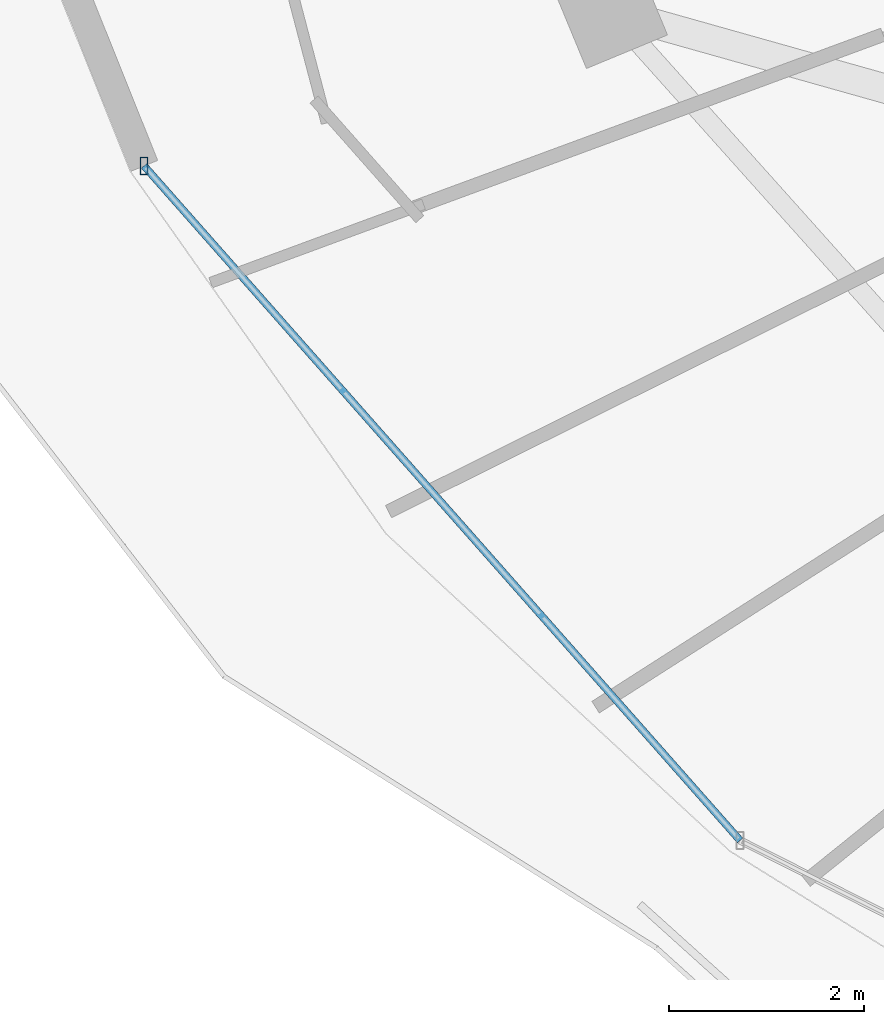
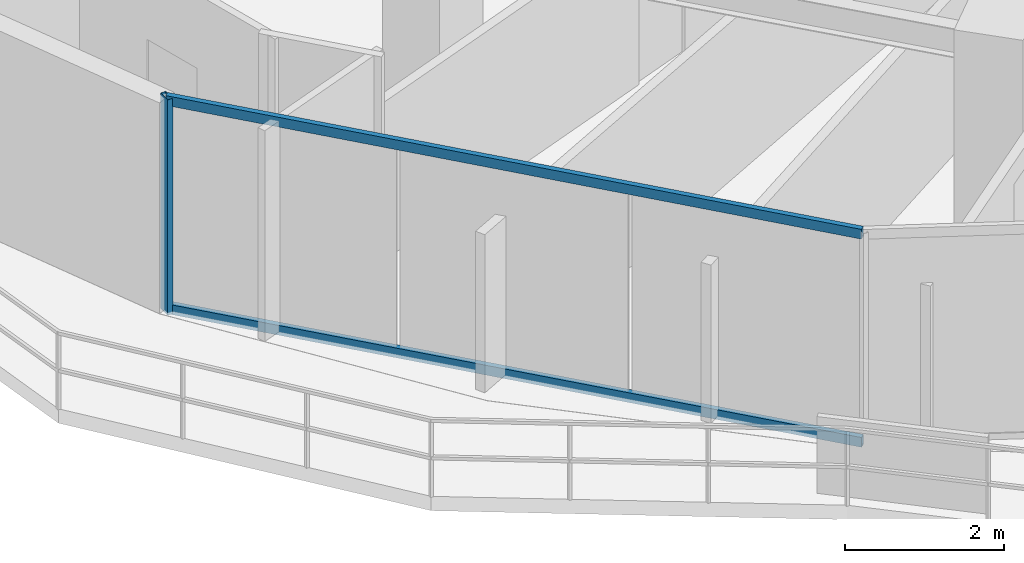
# One storey, part 3 of 34: 3 members, 1 element without a shape of its own.
"""IFC4 building model written with IfcOpenShell, lengths in metres."""

import ifcopenshell
import ifcopenshell.guid

model = None  # the IFC model being written
_history = None  # IfcOwnerHistory: only IFC2X3 demands one
_inside = {}  # id of a spatial element -> (the spatial element, [elements in it])
_under = {}  # id of a project, library or spatial element -> (it, [spatial elements below it])
_declared = {}  # id of a project -> (the project, [libraries it declares])
_typed = {}  # id of a type object -> (the type object, [elements of that type])
_made_of = {}  # id of a material, layer set ... -> (it, [elements and type objects made of it])


def new_model(schema):
    """Start an empty IFC model of exactly this schema.

    Asked for "IFC4X3", IfcOpenShell would pick the latest addendum, in which some entities
    have other attributes; the version numbers below select the first issue.
    IFC2X3 requires an IfcOwnerHistory on every rooted entity: one is made here for all.
    """
    global model, _history
    if schema == "IFC4X3":
        model = ifcopenshell.file(schema_version=(4, 3, 0, 0))
    else:
        model = ifcopenshell.file(schema=schema)
    _inside.clear()
    _under.clear()
    _declared.clear()
    _typed.clear()
    _made_of.clear()
    _history = None
    if model.schema == "IFC2X3":
        org = make("IfcOrganization", Name="unknown")
        user = make(
            "IfcPersonAndOrganization",
            ThePerson=make("IfcPerson", FamilyName="unknown"),
            TheOrganization=org,
        )
        app = make(
            "IfcApplication",
            ApplicationDeveloper=org,
            Version="unknown",
            ApplicationFullName="unknown",
            ApplicationIdentifier="unknown",
        )
        _history = make(
            "IfcOwnerHistory",
            OwningUser=user,
            OwningApplication=app,
            ChangeAction="ADDED",
            CreationDate=0,
        )
    return model


def make(cls, **values):
    """One entity of the class cls with the attributes given. An attribute that is None is left unset."""
    return model.create_entity(
        cls, **{name: value for name, value in values.items() if value is not None}
    )


def rooted(cls, **values):
    """An entity with a GlobalId (a new one), such as an element, a storey or a relation."""
    return make(cls, GlobalId=ifcopenshell.guid.new(), OwnerHistory=_history, **values)


def si_unit(unit_type, name, prefix=None):
    """IfcSIUnit, for example si_unit("LENGTHUNIT", "METRE", prefix="MILLI")."""
    return make("IfcSIUnit", UnitType=unit_type, Prefix=prefix, Name=name)


def assignment(units):
    """IfcUnitAssignment: the units of a project."""
    return None if units is None else make("IfcUnitAssignment", Units=units)


def point(xyz):
    """IfcCartesianPoint."""
    return None if xyz is None else make("IfcCartesianPoint", Coordinates=xyz)


def direction(xyz):
    """IfcDirection."""
    return None if xyz is None else make("IfcDirection", DirectionRatios=xyz)


def frame(location, z_axis=None, x_axis=None):
    """IfcAxis2Placement3D, a coordinate frame: its origin and axes. An axis left out is left unset."""
    return make(
        "IfcAxis2Placement3D",
        Location=point(location),
        Axis=direction(z_axis),
        RefDirection=direction(x_axis),
    )


def frame_2d(location, x_axis=None):
    """IfcAxis2Placement2D, a coordinate frame in the plane: its origin and x axis."""
    return make(
        "IfcAxis2Placement2D", Location=point(location), RefDirection=direction(x_axis)
    )


def origin():
    """The frame at (0, 0, 0) with its axes left unset."""
    return frame((0.0, 0.0, 0.0))


def origin_2d():
    """The frame at (0, 0) in the plane with its x axis left unset."""
    return frame_2d((0.0, 0.0))


def place(relative_to, where):
    """IfcLocalPlacement: puts the frame where relative to a parent placement (None: the world)."""
    return make(
        "IfcLocalPlacement", PlacementRelTo=relative_to, RelativePlacement=where
    )


def context(
    kind, dimensions, precision=None, world=None, true_north=None, identifier=None
):
    """IfcGeometricRepresentationContext, for example the 3D "Model" context."""
    return make(
        "IfcGeometricRepresentationContext",
        ContextIdentifier=identifier,
        ContextType=kind,
        CoordinateSpaceDimension=dimensions,
        Precision=precision,
        WorldCoordinateSystem=world,
        TrueNorth=true_north,
    )


def subcontext(parent, identifier, kind, view, scale=None):
    """IfcGeometricRepresentationSubContext, for example "Body" below "Model"."""
    return make(
        "IfcGeometricRepresentationSubContext",
        ContextIdentifier=identifier,
        ContextType=kind,
        ParentContext=parent,
        TargetScale=scale,
        TargetView=view,
    )


def project(units=None, contexts=None):
    """IfcProject with its units and contexts."""
    return rooted(
        "IfcProject",
        Name="project",
        RepresentationContexts=contexts,
        UnitsInContext=assignment(units),
    )


def spatial(cls, under=None, at=None, **own):
    """A site, building, storey or space (cls), placed at a placement, below another one or the project."""
    s = rooted(cls, ObjectPlacement=at, **own)
    if under is not None:
        _under.setdefault(under.id(), (under, []))[1].append(s)
    return s


def profile(cls, at=None, kind="AREA", **sizes):
    """A parametric profile (cls). Its sizes go by their IFC names, for example OverallWidth=200.0."""
    return make(cls, ProfileType=kind, Position=at, **sizes)


def hollow_rectangle(**sizes):
    """IfcRectangleHollowProfileDef."""
    return profile("IfcRectangleHollowProfileDef", **sizes)


def extrude(swept, where, along, depth):
    """IfcExtrudedAreaSolid: the profile swept, set in the frame where, extruded along a direction by depth."""
    return make(
        "IfcExtrudedAreaSolid",
        SweptArea=swept,
        Position=where,
        ExtrudedDirection=direction(along),
        Depth=depth,
    )


def shape(context_of_items, identifier, shape_type, items):
    """IfcShapeRepresentation: the items that make up one representation, for example the "Body"."""
    return make(
        "IfcShapeRepresentation",
        ContextOfItems=context_of_items,
        RepresentationIdentifier=identifier,
        RepresentationType=shape_type,
        Items=items,
    )


def material(Name=None, Category=None):
    """IfcMaterial."""
    return make("IfcMaterial", Name=Name, Category=Category)


def material_profile(
    of_material, cross_section, Name=None, Category=None, Priority=None
):
    """IfcMaterialProfile: a cross section and its material."""
    return make(
        "IfcMaterialProfile",
        Name=Name,
        Material=of_material,
        Profile=cross_section,
        Priority=Priority,
        Category=Category,
    )


def profile_set(profiles, Name=None, composite=None):
    """IfcMaterialProfileSet."""
    return make(
        "IfcMaterialProfileSet",
        Name=Name,
        MaterialProfiles=profiles,
        CompositeProfile=composite,
    )


def made_of(thing, what):
    """Note that an element or type object is made of a material, layer set ...; save() writes the relation."""
    if what is not None:
        _made_of.setdefault(what.id(), (what, []))[1].append(thing)
    return thing


def type_object(cls, material=None, **own):
    """A type object (cls), such as IfcWallType, which elements share."""
    return made_of(rooted(cls, **own), material)


def element(
    cls,
    number,
    at=None,
    inside=None,
    cuts=None,
    type_object=None,
    material=None,
    context=None,
    identifier="Body",
    shape_type=None,
    held_by="IfcProductDefinitionShape",
    body=None,
    shapes=None,
    **own,
):
    """One element of the class cls, such as IfcWall. Its Tag is "e" and its number.

    at: its placement. inside: the storey or other place that contains it. cuts: it is an
    opening in that element (IfcRelVoidsElement). A single representation is given by context,
    identifier, shape_type and body (its items); several are given by shapes. held_by: the class
    of the entity that holds the representations. save() writes the other relations.
    """
    e = rooted(cls, Tag="e%d" % number, ObjectPlacement=at, **own)
    if body is not None:
        shapes = [shape(context, identifier, shape_type, body)]
    if shapes is not None:
        e.Representation = make(held_by, Representations=shapes)
    if inside is not None:
        _inside.setdefault(inside.id(), (inside, []))[1].append(e)
    if cuts is not None:
        rooted(
            "IfcRelVoidsElement", RelatingBuildingElement=cuts, RelatedOpeningElement=e
        )
    if type_object is not None:
        _typed.setdefault(type_object.id(), (type_object, []))[1].append(e)
    return made_of(e, material)


def aggregate(whole, parts):
    """IfcRelAggregates: a whole, such as a stair, and the parts it consists of."""
    return rooted("IfcRelAggregates", RelatingObject=whole, RelatedObjects=parts)


def save(model, path):
    """Write the relations noted so far, then the file.

    IfcRelAggregates (storeys below a building ...), IfcRelContainedInSpatialStructure (elements
    in a storey), IfcRelDefinesByType, IfcRelAssociatesMaterial and IfcRelDeclares: one each for
    every whole, place, type object, material and project.
    """
    for whole, parts in _under.values():
        aggregate(whole, parts)
    for where, things in _inside.values():
        rooted(
            "IfcRelContainedInSpatialStructure",
            RelatedElements=things,
            RelatingStructure=where,
        )
    for kind, things in _typed.values():
        rooted("IfcRelDefinesByType", RelatedObjects=things, RelatingType=kind)
    for what, things in _made_of.values():
        rooted("IfcRelAssociatesMaterial", RelatedObjects=things, RelatingMaterial=what)
    for by, libraries in _declared.values():
        rooted("IfcRelDeclares", RelatingContext=by, RelatedDefinitions=libraries)
    model.write(path)


model = new_model("IFC4")

# Units and contexts
model_context = context("Model", 3, precision=1e-05, world=origin(), true_north=direction((0.0, 1.0)))
body_context = subcontext(model_context, "Body", "Model", "MODEL_VIEW")
ifc_project = project(units=[si_unit("LENGTHUNIT", "METRE"), si_unit("AREAUNIT", "SQUARE_METRE"), si_unit("VOLUMEUNIT", "CUBIC_METRE"), si_unit("PLANEANGLEUNIT", "RADIAN"), si_unit("MASSUNIT", "GRAM", prefix="KILO")], contexts=[model_context])

# Site, building, storey
site_placement = place(None, origin())
site = spatial("IfcSite", under=ifc_project, at=site_placement, CompositionType="ELEMENT")
building_placement = place(site_placement, origin())
building = spatial("IfcBuilding", under=site, at=building_placement, Name="Vorneva Point Tower", CompositionType="ELEMENT")
storey_placement = place(building_placement, frame((0.0, 0.0, 186.10009765625)))
storey = spatial("IfcBuildingStorey", under=building, at=storey_placement, Name="L50", CompositionType="ELEMENT", Elevation=186.10009765625)

# Curtain wall, members
ifc_material = material(Name="Pale anodised aluminium", Category="aluminium")
curtain_wall_type = type_object("IfcCurtainWallType", Name="CW-RES-SYS", PredefinedType="NOTDEFINED", material=ifc_material)
curtain_wall_placement = place(storey_placement, origin())
curtain_wall = element("IfcCurtainWall", 1, at=curtain_wall_placement, inside=storey, type_object=curtain_wall_type, Name="L50 Unitised Curtain Wall CW-L50-R03", PredefinedType="NOTDEFINED")
ifc_material_profile_1 = material_profile(ifc_material, hollow_rectangle(XDim=0.074951171875, YDim=0.179931640625, WallThickness=0.00390625, at=origin_2d()), Name="AL-MUL 180x75x4")
ifc_profile_set_1 = profile_set([ifc_material_profile_1], Name="Pale anodised aluminium")
member_type_1 = type_object("IfcMemberType", Name="CW-MUL-180", PredefinedType="MULLION", material=ifc_profile_set_1)
member_1_placement = place(storey_placement, frame((11.9189453125, 17.82958984375, -0.0400390625), z_axis=(0.0, 0.0, 1.0), x_axis=(1.0, 0.0, 0.0)))
member_1 = element("IfcMember", 2, at=member_1_placement, type_object=member_type_1, Name="CW-L50-R03 Mullion 01", PredefinedType="MULLION", context=body_context, shape_type="SweptSolid", body=[
    extrude(hollow_rectangle(XDim=0.074951171875, YDim=0.179931640625, WallThickness=0.00390625, at=origin_2d()), origin(), (0.0, 0.0, 1.0), 3.31005859375),
])
ifc_material_profile_2 = material_profile(ifc_material, hollow_rectangle(XDim=0.074951171875, YDim=0.14990234375, WallThickness=0.00390625, at=origin_2d()), Name="AL-TRN 150x75x4")
ifc_profile_set_2 = profile_set([ifc_material_profile_2], Name="Pale anodised aluminium")
member_type_2 = type_object("IfcMemberType", Name="CW-TRN-150", PredefinedType="USERDEFINED", material=ifc_profile_set_2)
member_2_placement = place(storey_placement, frame((11.9189453125, 17.82958984375, 0.02001953125), z_axis=(0.662106383869, -0.749409858782, 0.0), x_axis=(0.749409858782, 0.662106383869, 0.0)))
member_2 = element("IfcMember", 3, at=member_2_placement, type_object=member_type_2, Name="CW-L50-R03 Transom 01.1", ObjectType="TRANSOM", PredefinedType="USERDEFINED", context=body_context, shape_type="SweptSolid", body=[
    extrude(hollow_rectangle(XDim=0.074951171875, YDim=0.14990234375, WallThickness=0.00390625, at=origin_2d()), origin(), (0.0, 0.0, 1.0), 9.2421875),
])
member_3_placement = place(storey_placement, frame((11.9189453125, 17.82958984375, 3.219970703125), z_axis=(0.662106383869, -0.749409858782, 0.0), x_axis=(0.749409858782, 0.662106383869, 0.0)))
member_3 = element("IfcMember", 4, at=member_3_placement, type_object=member_type_2, Name="CW-L50-R03 Transom 01.2", ObjectType="TRANSOM", PredefinedType="USERDEFINED", context=body_context, shape_type="SweptSolid", body=[
    extrude(hollow_rectangle(XDim=0.074951171875, YDim=0.14990234375, WallThickness=0.00390625, at=origin_2d()), origin(), (0.0, 0.0, 1.0), 9.2421875),
])
aggregate(curtain_wall, [member_1, member_2, member_3])

save(model, "model.ifc")
